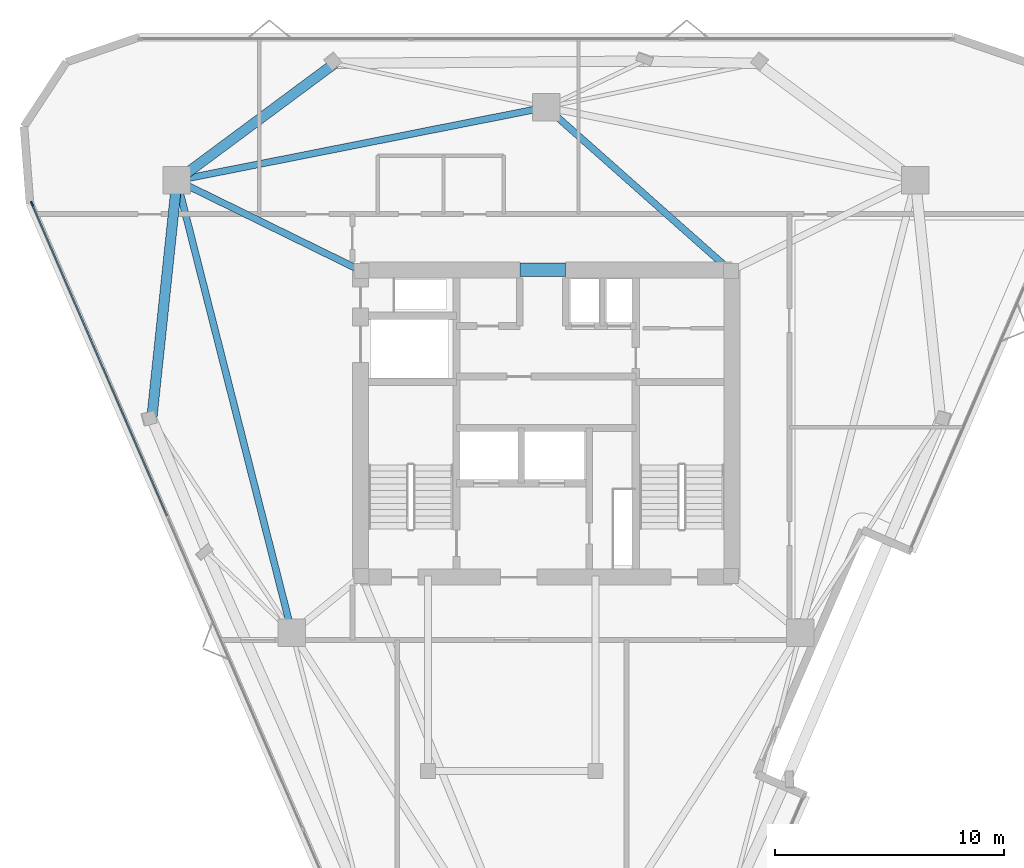
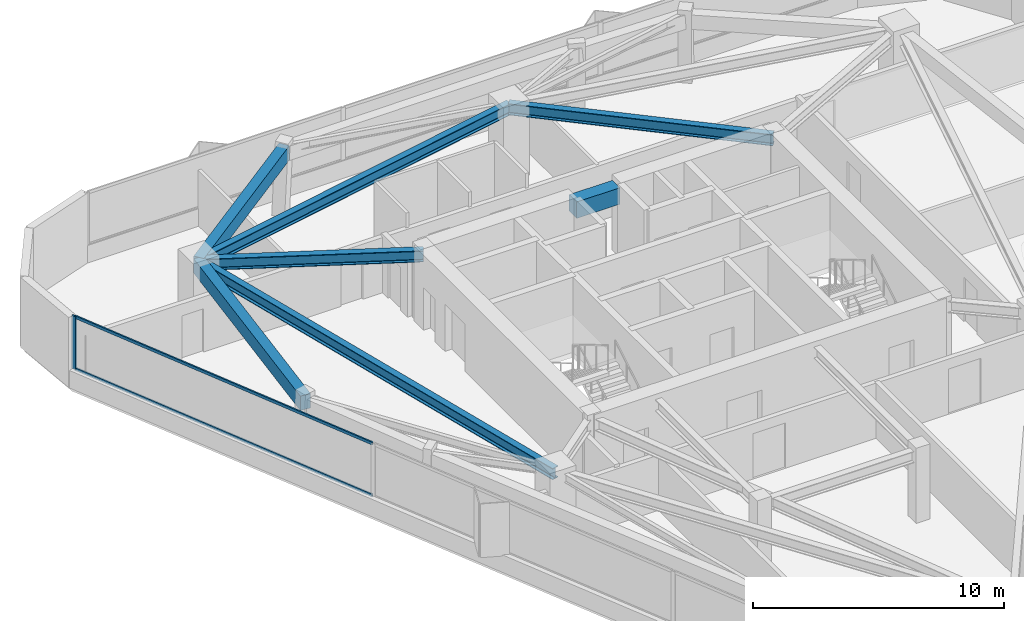
# One storey, part 4 of 10: 7 beams, 3 members, 1 element without a shape of its own.
"""IFC4 building model written with IfcOpenShell, lengths in metres."""

from ifc_helpers import new_model, si_unit, direction, frame, origin, origin_2d, place, context, subcontext, project, spatial, rectangle, i_section, extrude, material, layer, layer_set, material_profile, profile_set, type_object, element, aggregate, save


model = new_model("IFC4")

# Units and contexts
model_context = context("Model", 3, precision=1e-05, world=origin(), true_north=direction((0.0, 1.0)))
body_context = subcontext(model_context, "Body", "Model", "MODEL_VIEW")
ifc_project = project(units=[si_unit("LENGTHUNIT", "METRE"), si_unit("AREAUNIT", "SQUARE_METRE"), si_unit("VOLUMEUNIT", "CUBIC_METRE"), si_unit("PLANEANGLEUNIT", "RADIAN"), si_unit("MASSUNIT", "GRAM", prefix="KILO")], contexts=[model_context])

# Site, building, storey
site_placement = place(None, origin())
site = spatial("IfcSite", under=ifc_project, at=site_placement, CompositionType="ELEMENT")
building_placement = place(site_placement, origin())
building = spatial("IfcBuilding", under=site, at=building_placement, Name="Talyreon Biosciences Tower", CompositionType="ELEMENT")
storey_placement = place(building_placement, frame((0.0, 0.0, 257.14990234375)))
storey = spatial("IfcBuildingStorey", under=building, at=storey_placement, Name="L68", CompositionType="ELEMENT", Elevation=257.14990234375)

# Curtain wall, members
ifc_material_1 = material(Name="Thermally broken aluminium and low-E glazing", Category="aluminium")
ifc_layer = layer(ifc_material_1, 0.205078125)
ifc_layer_set = layer_set([ifc_layer], Name="Thermally broken aluminium and low-E glazing")
curtain_wall_type = type_object("IfcCurtainWallType", Name="CurtainWall_SkyGardenLoggia", PredefinedType="NOTDEFINED", material=ifc_layer_set)
curtain_wall_placement = place(storey_placement, origin())
curtain_wall = element("IfcCurtainWall", 1, at=curtain_wall_placement, inside=storey, type_object=curtain_wall_type, Name="L68 Unitised Curtain Wall FCW-L68-15", PredefinedType="NOTDEFINED")
ifc_material_2 = material(Name="Anodised thermally broken aluminium", Category="aluminium")
ifc_material_profile_1 = material_profile(ifc_material_2, rectangle(XDim=0.074951171875, YDim=0.2099609375, at=origin_2d()), Name="ALUM MULLION 75x210")
ifc_profile_set_1 = profile_set([ifc_material_profile_1], Name="Anodised thermally broken aluminium")
member_type_1 = type_object("IfcMemberType", Name="CWMullion_75x210", PredefinedType="MULLION", material=ifc_profile_set_1)
member_1_placement = place(storey_placement, frame((43.57763671875, 77.582763671875, 0.81005859375), z_axis=(0.0, 0.0, 1.0), x_axis=(-0.917723103703, -0.397220725706, 0.0)))
member_1 = element("IfcMember", 2, at=member_1_placement, type_object=member_type_1, Name="CW7 mullion 4", PredefinedType="MULLION", context=body_context, shape_type="SweptSolid", body=[
    extrude(rectangle(XDim=0.074951171875, YDim=0.2099609375, at=origin_2d()), origin(), (0.0, 0.0, 1.0), 2.590087890625),
])
ifc_material_profile_2 = material_profile(ifc_material_2, rectangle(XDim=0.06494140625, YDim=0.139892578125, at=origin_2d()), Name="ALUM TRANSOM 65x140")
ifc_profile_set_2 = profile_set([ifc_material_profile_2], Name="Anodised thermally broken aluminium")
member_type_2 = type_object("IfcMemberType", Name="CWTransom_65x140", PredefinedType="USERDEFINED", material=ifc_profile_set_2)
member_2_placement = place(storey_placement, frame((49.460693359375, 63.990966796875, 0.842529296875), z_axis=(-0.397225706417, 0.917720947871, 0.0), x_axis=(-0.917720947871, -0.397225706417, 0.0)))
member_2 = element("IfcMember", 3, at=member_2_placement, type_object=member_type_2, Name="CW7 transom 3.1", ObjectType="TRANSOM", PredefinedType="USERDEFINED", context=body_context, shape_type="SweptSolid", body=[
    extrude(rectangle(XDim=0.06494140625, YDim=0.139892578125, at=origin_2d()), origin(), (0.0, 0.0, 1.0), 14.77294921875),
])
member_3_placement = place(storey_placement, frame((49.460693359375, 63.990966796875, 3.36767578125), z_axis=(-0.397225706417, 0.917720947871, 0.0), x_axis=(-0.917720947871, -0.397225706417, 0.0)))
member_3 = element("IfcMember", 4, at=member_3_placement, type_object=member_type_2, Name="CW7 transom 3.2", ObjectType="TRANSOM", PredefinedType="USERDEFINED", context=body_context, shape_type="SweptSolid", body=[
    extrude(rectangle(XDim=0.06494140625, YDim=0.139892578125, at=origin_2d()), origin(), (0.0, 0.0, 1.0), 14.77294921875),
])
aggregate(curtain_wall, [member_1, member_2, member_3])

# Beams
ifc_material_3 = material(Name="Concrete C50/60", Category="concrete")
ifc_material_profile_3 = material_profile(ifc_material_3, rectangle(XDim=0.60009765625, YDim=0.800048828125, at=origin_2d()), Name="RCB 600x800")
ifc_profile_set_3 = profile_set([ifc_material_profile_3], Name="Concrete C50/60")
beam_type_1 = type_object("IfcBeamType", Name="CoreCouplingLintel_600x800", PredefinedType="LINTEL", material=ifc_profile_set_3)
beam_1_placement = place(storey_placement, frame((64.85009765625, 74.699951171875, 3.0), z_axis=(1.0, 0.0, 0.0), x_axis=(0.0, 1.0, 0.0)))
element("IfcBeam", 5, at=beam_1_placement, inside=storey, type_object=beam_type_1, Name="L68 Core Coupling Lintel", PredefinedType="LINTEL", context=body_context, shape_type="SweptSolid", body=[
    extrude(rectangle(XDim=0.60009765625, YDim=0.800048828125, at=origin_2d()), origin(), (0.0, 0.0, 1.0), 2.0),
])
ifc_material_4 = material(Name="Precast concrete C45/55", Category="concrete")
ifc_material_profile_4 = material_profile(ifc_material_4, rectangle(XDim=0.449951171875, YDim=0.699951171875, at=origin_2d()), Name="RCB 450x700")
ifc_profile_set_4 = profile_set([ifc_material_profile_4], Name="Precast concrete C45/55")
beam_type_2 = type_object("IfcBeamType", Name="ExpressedSpandrel_450x700", PredefinedType="SPANDREL", material=ifc_profile_set_4)
beam_2_placement = place(storey_placement, frame((56.77587890625, 83.700927734375, 3.050048828125), z_axis=(-0.803146431215, -0.595781679834, 0.0), x_axis=(0.595781679834, -0.803146431215, 0.0)))
element("IfcBeam", 6, at=beam_2_placement, inside=storey, type_object=beam_type_2, Name="L68 Expressed Horizontal Concrete Spandrel 08", PredefinedType="SPANDREL", context=body_context, shape_type="SweptSolid", body=[
    extrude(rectangle(XDim=0.449951171875, YDim=0.699951171875, at=origin_2d()), origin(), (0.0, 0.0, 1.0), 8.56396484375),
])
beam_3_placement = place(storey_placement, frame((49.897705078125, 78.5986328125, 3.050048828125), z_axis=(-0.104855047938, -0.994487515719, 0.0), x_axis=(0.994487515719, -0.104855047938, 0.0)))
element("IfcBeam", 7, at=beam_3_placement, inside=storey, type_object=beam_type_2, Name="L68 Expressed Horizontal Concrete Spandrel 09", PredefinedType="SPANDREL", context=body_context, shape_type="SweptSolid", body=[
    extrude(rectangle(XDim=0.449951171875, YDim=0.699951171875, at=origin_2d()), origin(), (0.0, 0.0, 1.0), 10.44970703125),
])
ifc_material_5 = material(Name="Steel SM355", Category="steel")
ifc_material_profile_5 = material_profile(ifc_material_5, i_section(OverallWidth=0.300048828125, OverallDepth=0.550048828125, WebThickness=0.014892578125, FlangeThickness=0.029052734375, FilletRadius=0.027099609375, at=origin_2d()), Name="HE550B")
ifc_profile_set_5 = profile_set([ifc_material_profile_5], Name="Steel SM355")
beam_type_3 = type_object("IfcBeamType", Name="SteelBeam_HE550B", PredefinedType="BEAM", material=ifc_profile_set_5)
beam_4_placement = place(storey_placement, frame((66.0, 81.788818359375, 3.125), z_axis=(-0.980933730698, -0.194342522311, 0.0), x_axis=(0.194342522311, -0.980933730698, 0.0)))
element("IfcBeam", 8, at=beam_4_placement, inside=storey, type_object=beam_type_3, Name="L68 Mega-Ring Girder 4", PredefinedType="BEAM", context=body_context, shape_type="SweptSolid", body=[
    extrude(i_section(OverallWidth=0.300048828125, OverallDepth=0.550048828125, WebThickness=0.014892578125, FlangeThickness=0.029052734375, FilletRadius=0.027099609375, at=origin_2d()), origin(), (0.0, 0.0, 1.0), 16.415283203125),
])
beam_5_placement = place(storey_placement, frame((49.897705078125, 78.5986328125, 3.125), z_axis=(0.246537082299, -0.969133358755, 0.0), x_axis=(0.969133358755, 0.246537082299, 0.0)))
element("IfcBeam", 9, at=beam_5_placement, inside=storey, type_object=beam_type_3, Name="L68 Mega-Ring Girder 5", PredefinedType="BEAM", context=body_context, shape_type="SweptSolid", body=[
    extrude(i_section(OverallWidth=0.300048828125, OverallDepth=0.550048828125, WebThickness=0.014892578125, FlangeThickness=0.029052734375, FilletRadius=0.027099609375, at=origin_2d()), origin(), (0.0, 0.0, 1.0), 20.34619140625),
])
beam_6_placement = place(storey_placement, frame((74.050048828125, 74.64990234375, 3.125), z_axis=(-0.748178733955, 0.663497235908, 0.0), x_axis=(-0.663497235908, -0.748178733955, 0.0)))
element("IfcBeam", 10, at=beam_6_placement, inside=storey, type_object=beam_type_3, Name="L68 Radial Primary Girder 4", PredefinedType="BEAM", context=body_context, shape_type="SweptSolid", body=[
    extrude(i_section(OverallWidth=0.300048828125, OverallDepth=0.550048828125, WebThickness=0.014892578125, FlangeThickness=0.029052734375, FilletRadius=0.027099609375, at=origin_2d()), origin(), (0.0, 0.0, 1.0), 10.759521484375),
])
beam_7_placement = place(storey_placement, frame((57.949951171875, 74.64990234375, 3.125), z_axis=(-0.897852360314, 0.440296648952, 0.0), x_axis=(-0.440296648952, -0.897852360314, 0.0)))
element("IfcBeam", 11, at=beam_7_placement, inside=storey, type_object=beam_type_3, Name="L68 Radial Primary Girder 5", PredefinedType="BEAM", context=body_context, shape_type="SweptSolid", body=[
    extrude(i_section(OverallWidth=0.300048828125, OverallDepth=0.550048828125, WebThickness=0.014892578125, FlangeThickness=0.029052734375, FilletRadius=0.027099609375, at=origin_2d()), origin(), (0.0, 0.0, 1.0), 8.96826171875),
])

save(model, "model.ifc")
